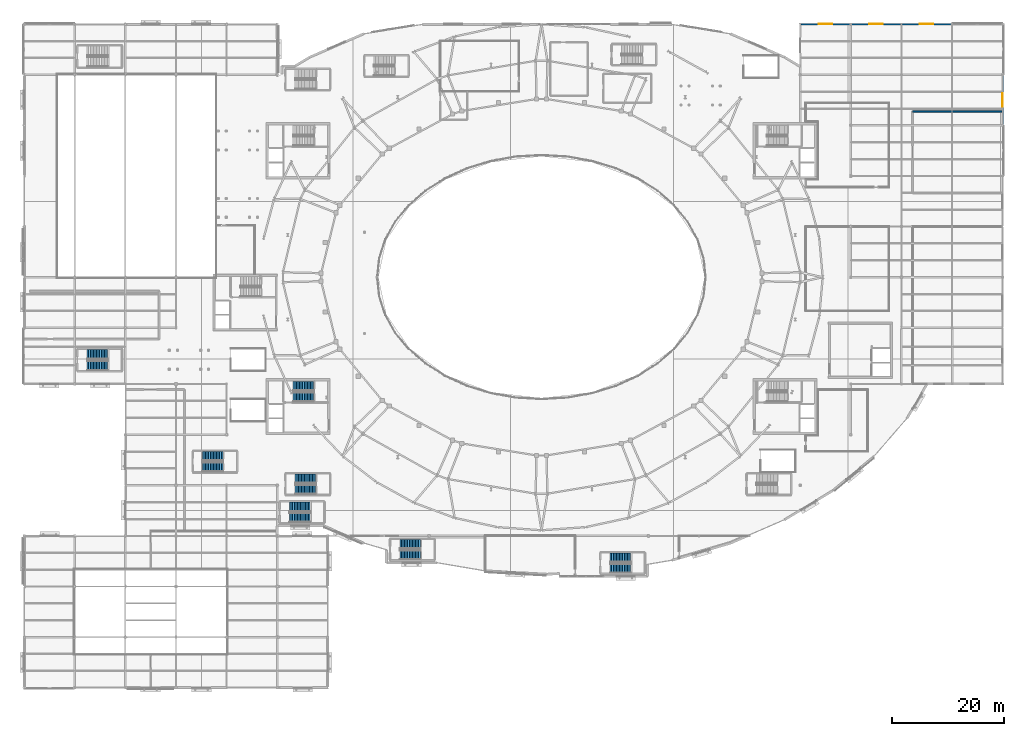
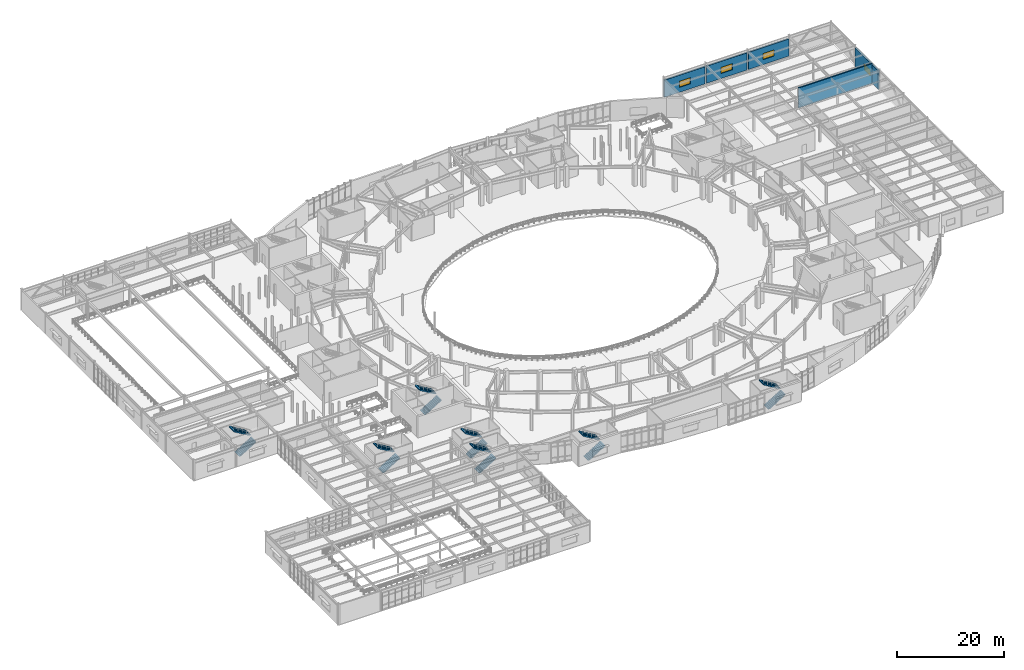
# One storey, part 67 of 86: 14 stair flights, 5 walls, 4 windows, 4 openings, 7 elements without a shape of their own.
"""IFC4 building model written with IfcOpenShell, lengths in metres."""

import ifcopenshell
import ifcopenshell.guid

model = None  # the IFC model being written
_history = None  # IfcOwnerHistory: only IFC2X3 demands one
_inside = {}  # id of a spatial element -> (the spatial element, [elements in it])
_under = {}  # id of a project, library or spatial element -> (it, [spatial elements below it])
_declared = {}  # id of a project -> (the project, [libraries it declares])
_typed = {}  # id of a type object -> (the type object, [elements of that type])
_made_of = {}  # id of a material, layer set ... -> (it, [elements and type objects made of it])


def new_model(schema):
    """Start an empty IFC model of exactly this schema.

    Asked for "IFC4X3", IfcOpenShell would pick the latest addendum, in which some entities
    have other attributes; the version numbers below select the first issue.
    IFC2X3 requires an IfcOwnerHistory on every rooted entity: one is made here for all.
    """
    global model, _history
    if schema == "IFC4X3":
        model = ifcopenshell.file(schema_version=(4, 3, 0, 0))
    else:
        model = ifcopenshell.file(schema=schema)
    _inside.clear()
    _under.clear()
    _declared.clear()
    _typed.clear()
    _made_of.clear()
    _history = None
    if model.schema == "IFC2X3":
        org = make("IfcOrganization", Name="unknown")
        user = make(
            "IfcPersonAndOrganization",
            ThePerson=make("IfcPerson", FamilyName="unknown"),
            TheOrganization=org,
        )
        app = make(
            "IfcApplication",
            ApplicationDeveloper=org,
            Version="unknown",
            ApplicationFullName="unknown",
            ApplicationIdentifier="unknown",
        )
        _history = make(
            "IfcOwnerHistory",
            OwningUser=user,
            OwningApplication=app,
            ChangeAction="ADDED",
            CreationDate=0,
        )
    return model


def make(cls, **values):
    """One entity of the class cls with the attributes given. An attribute that is None is left unset."""
    return model.create_entity(
        cls, **{name: value for name, value in values.items() if value is not None}
    )


def rooted(cls, **values):
    """An entity with a GlobalId (a new one), such as an element, a storey or a relation."""
    return make(cls, GlobalId=ifcopenshell.guid.new(), OwnerHistory=_history, **values)


def si_unit(unit_type, name, prefix=None):
    """IfcSIUnit, for example si_unit("LENGTHUNIT", "METRE", prefix="MILLI")."""
    return make("IfcSIUnit", UnitType=unit_type, Prefix=prefix, Name=name)


def assignment(units):
    """IfcUnitAssignment: the units of a project."""
    return None if units is None else make("IfcUnitAssignment", Units=units)


def point(xyz):
    """IfcCartesianPoint."""
    return None if xyz is None else make("IfcCartesianPoint", Coordinates=xyz)


def direction(xyz):
    """IfcDirection."""
    return None if xyz is None else make("IfcDirection", DirectionRatios=xyz)


def frame(location, z_axis=None, x_axis=None):
    """IfcAxis2Placement3D, a coordinate frame: its origin and axes. An axis left out is left unset."""
    return make(
        "IfcAxis2Placement3D",
        Location=point(location),
        Axis=direction(z_axis),
        RefDirection=direction(x_axis),
    )


def frame_2d(location, x_axis=None):
    """IfcAxis2Placement2D, a coordinate frame in the plane: its origin and x axis."""
    return make(
        "IfcAxis2Placement2D", Location=point(location), RefDirection=direction(x_axis)
    )


def origin():
    """The frame at (0, 0, 0) with its axes left unset."""
    return frame((0.0, 0.0, 0.0))


def place(relative_to, where):
    """IfcLocalPlacement: puts the frame where relative to a parent placement (None: the world)."""
    return make(
        "IfcLocalPlacement", PlacementRelTo=relative_to, RelativePlacement=where
    )


def context(
    kind, dimensions, precision=None, world=None, true_north=None, identifier=None
):
    """IfcGeometricRepresentationContext, for example the 3D "Model" context."""
    return make(
        "IfcGeometricRepresentationContext",
        ContextIdentifier=identifier,
        ContextType=kind,
        CoordinateSpaceDimension=dimensions,
        Precision=precision,
        WorldCoordinateSystem=world,
        TrueNorth=true_north,
    )


def subcontext(parent, identifier, kind, view, scale=None):
    """IfcGeometricRepresentationSubContext, for example "Body" below "Model"."""
    return make(
        "IfcGeometricRepresentationSubContext",
        ContextIdentifier=identifier,
        ContextType=kind,
        ParentContext=parent,
        TargetScale=scale,
        TargetView=view,
    )


def project(units=None, contexts=None):
    """IfcProject with its units and contexts."""
    return rooted(
        "IfcProject",
        Name="project",
        RepresentationContexts=contexts,
        UnitsInContext=assignment(units),
    )


def spatial(cls, under=None, at=None, **own):
    """A site, building, storey or space (cls), placed at a placement, below another one or the project."""
    s = rooted(cls, ObjectPlacement=at, **own)
    if under is not None:
        _under.setdefault(under.id(), (under, []))[1].append(s)
    return s


def polyline(points):
    """IfcPolyline through the points."""
    return make("IfcPolyline", Points=[point(p) for p in points])


def profile(cls, at=None, kind="AREA", **sizes):
    """A parametric profile (cls). Its sizes go by their IFC names, for example OverallWidth=200.0."""
    return make(cls, ProfileType=kind, Position=at, **sizes)


def rectangle(**sizes):
    """IfcRectangleProfileDef."""
    return profile("IfcRectangleProfileDef", **sizes)


def outline(outer, holes=None, kind="AREA"):
    """IfcArbitraryClosedProfileDef: a profile drawn as a closed curve; with holes, ...WithVoids."""
    if holes is None:
        return make("IfcArbitraryClosedProfileDef", ProfileType=kind, OuterCurve=outer)
    return make(
        "IfcArbitraryProfileDefWithVoids",
        ProfileType=kind,
        OuterCurve=outer,
        InnerCurves=holes,
    )


def extrude(swept, where, along, depth):
    """IfcExtrudedAreaSolid: the profile swept, set in the frame where, extruded along a direction by depth."""
    return make(
        "IfcExtrudedAreaSolid",
        SweptArea=swept,
        Position=where,
        ExtrudedDirection=direction(along),
        Depth=depth,
    )


def shape(context_of_items, identifier, shape_type, items):
    """IfcShapeRepresentation: the items that make up one representation, for example the "Body"."""
    return make(
        "IfcShapeRepresentation",
        ContextOfItems=context_of_items,
        RepresentationIdentifier=identifier,
        RepresentationType=shape_type,
        Items=items,
    )


def material(Name=None, Category=None):
    """IfcMaterial."""
    return make("IfcMaterial", Name=Name, Category=Category)


def layer(
    of_material, thickness, ventilated=None, Name=None, Category=None, Priority=None
):
    """IfcMaterialLayer: one layer of a wall or slab, of a material (None: an air gap)."""
    return make(
        "IfcMaterialLayer",
        Material=of_material,
        LayerThickness=thickness,
        IsVentilated=ventilated,
        Name=Name,
        Category=Category,
        Priority=Priority,
    )


def layer_set(layers, Name=None):
    """IfcMaterialLayerSet."""
    return make("IfcMaterialLayerSet", MaterialLayers=layers, LayerSetName=Name)


def made_of(thing, what):
    """Note that an element or type object is made of a material, layer set ...; save() writes the relation."""
    if what is not None:
        _made_of.setdefault(what.id(), (what, []))[1].append(thing)
    return thing


def type_object(cls, material=None, **own):
    """A type object (cls), such as IfcWallType, which elements share."""
    return made_of(rooted(cls, **own), material)


def element(
    cls,
    number,
    at=None,
    inside=None,
    cuts=None,
    type_object=None,
    material=None,
    context=None,
    identifier="Body",
    shape_type=None,
    held_by="IfcProductDefinitionShape",
    body=None,
    shapes=None,
    **own,
):
    """One element of the class cls, such as IfcWall. Its Tag is "e" and its number.

    at: its placement. inside: the storey or other place that contains it. cuts: it is an
    opening in that element (IfcRelVoidsElement). A single representation is given by context,
    identifier, shape_type and body (its items); several are given by shapes. held_by: the class
    of the entity that holds the representations. save() writes the other relations.
    """
    e = rooted(cls, Tag="e%d" % number, ObjectPlacement=at, **own)
    if body is not None:
        shapes = [shape(context, identifier, shape_type, body)]
    if shapes is not None:
        e.Representation = make(held_by, Representations=shapes)
    if inside is not None:
        _inside.setdefault(inside.id(), (inside, []))[1].append(e)
    if cuts is not None:
        rooted(
            "IfcRelVoidsElement", RelatingBuildingElement=cuts, RelatedOpeningElement=e
        )
    if type_object is not None:
        _typed.setdefault(type_object.id(), (type_object, []))[1].append(e)
    return made_of(e, material)


def fill(opening, filler):
    """IfcRelFillsElement: the door or window that sits in an opening."""
    return rooted(
        "IfcRelFillsElement",
        RelatingOpeningElement=opening,
        RelatedBuildingElement=filler,
    )


def aggregate(whole, parts):
    """IfcRelAggregates: a whole, such as a stair, and the parts it consists of."""
    return rooted("IfcRelAggregates", RelatingObject=whole, RelatedObjects=parts)


def save(model, path):
    """Write the relations noted so far, then the file.

    IfcRelAggregates (storeys below a building ...), IfcRelContainedInSpatialStructure (elements
    in a storey), IfcRelDefinesByType, IfcRelAssociatesMaterial and IfcRelDeclares: one each for
    every whole, place, type object, material and project.
    """
    for whole, parts in _under.values():
        aggregate(whole, parts)
    for where, things in _inside.values():
        rooted(
            "IfcRelContainedInSpatialStructure",
            RelatedElements=things,
            RelatingStructure=where,
        )
    for kind, things in _typed.values():
        rooted("IfcRelDefinesByType", RelatedObjects=things, RelatingType=kind)
    for what, things in _made_of.values():
        rooted("IfcRelAssociatesMaterial", RelatedObjects=things, RelatingMaterial=what)
    for by, libraries in _declared.values():
        rooted("IfcRelDeclares", RelatingContext=by, RelatedDefinitions=libraries)
    model.write(path)


model = new_model("IFC4")

# Units and contexts
model_context = context("Model", 3, precision=1e-05, world=origin(), true_north=direction((0.0, 1.0)))
body_context = subcontext(model_context, "Body", "Model", "MODEL_VIEW")
ifc_project = project(units=[si_unit("LENGTHUNIT", "METRE"), si_unit("AREAUNIT", "SQUARE_METRE"), si_unit("VOLUMEUNIT", "CUBIC_METRE"), si_unit("PLANEANGLEUNIT", "RADIAN"), si_unit("MASSUNIT", "GRAM", prefix="KILO")], contexts=[model_context])

# Site, building, storey
site_placement = place(None, origin())
site = spatial("IfcSite", under=ifc_project, at=site_placement, CompositionType="ELEMENT")
building_placement = place(site_placement, origin())
building = spatial("IfcBuilding", under=site, at=building_placement, Name="Glasvene Arena", CompositionType="ELEMENT")
storey_placement = place(building_placement, frame((0.0, 0.0, 5.39990234375)))
storey = spatial("IfcBuildingStorey", under=building, at=storey_placement, Name="L01", CompositionType="ELEMENT", Elevation=5.39990234375)

# Wall, opening, window
ifc_material_1 = material(Name="Precast concrete C50/60", Category="concrete")
ifc_layer_1 = layer(ifc_material_1, 0.320068359375)
ifc_layer_set_1 = layer_set([ifc_layer_1], Name="Precast concrete C50/60")
wall_type_1 = type_object("IfcWallType", Name="WL-EXT-PRC-320", PredefinedType="STANDARD", material=ifc_layer_set_1)
wall_1_placement = place(storey_placement, frame((138.130126953125, 118.0, 0.0), z_axis=(0.0, 0.0, 1.0), x_axis=(1.0, 0.0, 0.0)))
wall_1 = element("IfcWall", 1, at=wall_1_placement, inside=storey, type_object=wall_type_1, Name="External facade wall EW-L01-0080", PredefinedType="STANDARD", context=body_context, shape_type="SweptSolid", body=[
    extrude(rectangle(XDim=8.7177734375, YDim=0.320068359375, at=frame_2d((4.35888671875, 0.0))), origin(), (0.0, 0.0, 1.0), 3.907470703125),
])
opening_1_placement = place(wall_1_placement, frame((3.158935546875, 0.0, 1.14990234375)))
opening_1 = element("IfcOpeningElement", 2, at=opening_1_placement, cuts=wall_1, Name="Opening W-18", PredefinedType="OPENING", context=body_context, shape_type="SweptSolid", body=[
    extrude(rectangle(XDim=2.39990234375, YDim=1.39990234375, at=frame_2d((1.199951171875, 0.699951171875))), frame((0.0, 0.169921875, 0.0), z_axis=(0.0, -1.0, 0.0), x_axis=(1.0, 0.0, 0.0)), (0.0, 0.0, 1.0), 0.340087890625),
])
ifc_material_2 = material(Name="Low-emissivity laminated double glazing", Category="glass")
window_type = type_object("IfcWindowType", Name="WN-LOUV-240x140", PartitioningType="DOUBLE_PANEL_HORIZONTAL", PredefinedType="WINDOW", material=ifc_material_2)
window_1_placement = place(opening_1_placement, origin())
window_1 = element("IfcWindow", 3, at=window_1_placement, inside=storey, type_object=window_type, Name="Facade window WN-LOUV-240x140 L01-0031", OverallHeight=1.39990234375, OverallWidth=2.39990234375, PartitioningType="SINGLE_PANEL", PredefinedType="WINDOW", context=body_context, shape_type="SweptSolid", body=[
    extrude(rectangle(XDim=2.39990234375, YDim=1.39990234375, at=frame_2d((1.199951171875, 0.699951171875))), frame((0.0, 0.030029296875, 0.0), z_axis=(0.0, -1.0, 0.0), x_axis=(1.0, 0.0, 0.0)), (0.0, 0.0, 1.0), 0.06005859375),
])
fill(opening_1, window_1)

wall_2_placement = place(storey_placement, frame((147.152099609375, 118.0, 0.0), z_axis=(0.0, 0.0, 1.0), x_axis=(1.0, 0.0, 0.0)))
wall_2 = element("IfcWall", 4, at=wall_2_placement, inside=storey, type_object=wall_type_1, Name="External facade wall EW-L01-0081", PredefinedType="STANDARD", context=body_context, shape_type="SweptSolid", body=[
    extrude(rectangle(XDim=8.7177734375, YDim=0.320068359375, at=frame_2d((4.35888671875, 0.0))), origin(), (0.0, 0.0, 1.0), 3.907470703125),
])
opening_2_placement = place(wall_2_placement, frame((3.158935546875, 0.0, 1.14990234375)))
opening_2 = element("IfcOpeningElement", 5, at=opening_2_placement, cuts=wall_2, Name="Opening W-18", PredefinedType="OPENING", context=body_context, shape_type="SweptSolid", body=[
    extrude(rectangle(XDim=2.39990234375, YDim=1.39990234375, at=frame_2d((1.199951171875, 0.699951171875))), frame((0.0, 0.169921875, 0.0), z_axis=(0.0, -1.0, 0.0), x_axis=(1.0, 0.0, 0.0)), (0.0, 0.0, 1.0), 0.340087890625),
])
window_2_placement = place(opening_2_placement, origin())
window_2 = element("IfcWindow", 6, at=window_2_placement, inside=storey, type_object=window_type, Name="Facade window WN-LOUV-240x140 L01-0032", OverallHeight=1.39990234375, OverallWidth=2.39990234375, PartitioningType="SINGLE_PANEL", PredefinedType="WINDOW", context=body_context, shape_type="SweptSolid", body=[
    extrude(rectangle(XDim=2.39990234375, YDim=1.39990234375, at=frame_2d((1.199951171875, 0.699951171875))), frame((0.0, 0.030029296875, 0.0), z_axis=(0.0, -1.0, 0.0), x_axis=(1.0, 0.0, 0.0)), (0.0, 0.0, 1.0), 0.06005859375),
])
fill(opening_2, window_2)

wall_3_placement = place(storey_placement, frame((156.130126953125, 118.0, 0.0), z_axis=(0.0, 0.0, 1.0), x_axis=(1.0, 0.0, 0.0)))
wall_3 = element("IfcWall", 7, at=wall_3_placement, inside=storey, type_object=wall_type_1, Name="External facade wall EW-L01-0082", PredefinedType="STANDARD", context=body_context, shape_type="SweptSolid", body=[
    extrude(rectangle(XDim=8.7177734375, YDim=0.320068359375, at=frame_2d((4.35888671875, 0.0))), origin(), (0.0, 0.0, 1.0), 3.907470703125),
])
opening_3_placement = place(wall_3_placement, frame((3.158935546875, 0.0, 1.14990234375)))
opening_3 = element("IfcOpeningElement", 8, at=opening_3_placement, cuts=wall_3, Name="Opening W-18", PredefinedType="OPENING", context=body_context, shape_type="SweptSolid", body=[
    extrude(rectangle(XDim=2.39990234375, YDim=1.39990234375, at=frame_2d((1.199951171875, 0.699951171875))), frame((0.0, 0.169921875, 0.0), z_axis=(0.0, -1.0, 0.0), x_axis=(1.0, 0.0, 0.0)), (0.0, 0.0, 1.0), 0.340087890625),
])
window_3_placement = place(opening_3_placement, origin())
window_3 = element("IfcWindow", 9, at=window_3_placement, inside=storey, type_object=window_type, Name="Facade window WN-LOUV-240x140 L01-0033", OverallHeight=1.39990234375, OverallWidth=2.39990234375, PartitioningType="SINGLE_PANEL", PredefinedType="WINDOW", context=body_context, shape_type="SweptSolid", body=[
    extrude(rectangle(XDim=2.39990234375, YDim=1.39990234375, at=frame_2d((1.199951171875, 0.699951171875))), frame((0.0, 0.030029296875, 0.0), z_axis=(0.0, -1.0, 0.0), x_axis=(1.0, 0.0, 0.0)), (0.0, 0.0, 1.0), 0.06005859375),
])
fill(opening_3, window_3)

wall_4_placement = place(storey_placement, frame((174.0, 108.847900390625, 0.0), z_axis=(0.0, 0.0, 1.0), x_axis=(0.0, -1.0, 0.0)))
wall_4 = element("IfcWall", 10, at=wall_4_placement, inside=storey, type_object=wall_type_1, Name="External facade wall EW-L01-0083", PredefinedType="STANDARD", context=body_context, shape_type="SweptSolid", body=[
    extrude(rectangle(XDim=8.7158203125, YDim=0.320068359375, at=frame_2d((4.35791015625, 0.0))), origin(), (0.0, 0.0, 1.0), 4.215087890625),
])
opening_4_placement = place(wall_4_placement, frame((3.157958984375, 0.0, 1.14990234375)))
opening_4 = element("IfcOpeningElement", 11, at=opening_4_placement, cuts=wall_4, Name="Opening W-18", PredefinedType="OPENING", context=body_context, shape_type="SweptSolid", body=[
    extrude(rectangle(XDim=2.39990234375, YDim=1.39990234375, at=frame_2d((1.199951171875, 0.699951171875))), frame((0.0, 0.169921875, 0.0), z_axis=(0.0, -1.0, 0.0), x_axis=(1.0, 0.0, 0.0)), (0.0, 0.0, 1.0), 0.340087890625),
])
window_4_placement = place(opening_4_placement, origin())
window_4 = element("IfcWindow", 12, at=window_4_placement, inside=storey, type_object=window_type, Name="Facade window WN-LOUV-240x140 L01-0034", OverallHeight=1.39990234375, OverallWidth=2.39990234375, PartitioningType="SINGLE_PANEL", PredefinedType="WINDOW", context=body_context, shape_type="SweptSolid", body=[
    extrude(rectangle(XDim=2.39990234375, YDim=1.39990234375, at=frame_2d((1.199951171875, 0.699951171875))), frame((0.0, 0.030029296875, 0.0), z_axis=(0.0, -1.0, 0.0), x_axis=(1.0, 0.0, 0.0)), (0.0, 0.0, 1.0), 0.06005859375),
])
fill(opening_4, window_4)

# Wall
ifc_material_3 = material(Name="Twin-frame acoustic gypsum partition")
ifc_layer_2 = layer(ifc_material_3, 0.280029296875)
ifc_layer_set_2 = layer_set([ifc_layer_2], Name="Twin-frame acoustic gypsum partition")
wall_type_2 = type_object("IfcWallType", Name="WL-STUDIO-280", PredefinedType="PARTITIONING", material=ifc_layer_set_2)
wall_5_placement = place(storey_placement, frame((173.9599609375, 102.5, 0.0), z_axis=(0.0, 0.0, 1.0), x_axis=(-1.0, 0.0, 0.0)))
element("IfcWall", 13, at=wall_5_placement, inside=storey, type_object=wall_type_2, Name="Interior partition wall IW-L01-0199 (Broadcast Cabling Patch Room)", PredefinedType="PARTITIONING", context=body_context, shape_type="SweptSolid", body=[
    extrude(rectangle(XDim=15.9599609375, YDim=0.280029296875, at=frame_2d((7.97998046875, 0.0))), origin(), (0.0, 0.0, 1.0), 4.52001953125),
])

# Stair, stair flights
ifc_material_4 = material(Name="Concrete C40/50", Category="concrete")
stair_type_1 = type_object("IfcStairType", Name="ST-HT-480-165", PredefinedType="HALF_TURN_STAIR", material=ifc_material_4)
stair_1_placement = place(storey_placement, origin())
stair_1 = element("IfcStair", 14, at=stair_1_placement, inside=storey, type_object=stair_type_1, Name="Protected escape stair ST-08 (L01 to L02)", PredefinedType="HALF_TURN_STAIR")
stair_flight_type_1 = type_object("IfcStairFlightType", Name="SF-HT-480-165", PredefinedType="STRAIGHT", material=ifc_material_4)
stair_flight_1_placement = place(storey_placement, frame((66.800048828125, 23.625, 0.0), z_axis=(0.0, 0.0, 1.0), x_axis=(1.0, 0.0, 0.0)))
stair_flight_1 = element("IfcStairFlight", 15, at=stair_flight_1_placement, type_object=stair_flight_type_1, Name="Protected escape stair ST-08 (L01 to L02) flight 1", NumberOfRisers=14, NumberOfTreads=13, PredefinedType="STRAIGHT", RiserHeight=0.171429, TreadLength=0.28, context=body_context, shape_type="SweptSolid", body=[
    extrude(outline(polyline([(0.0, 0.0), (0.0, 0.17138671875), (0.280029296875, 0.17138671875), (0.280029296875, 0.3427734375), (0.56005859375, 0.3427734375), (0.56005859375, 0.514404296875), (0.840087890625, 0.514404296875), (0.840087890625, 0.685791015625), (1.1201171875, 0.685791015625), (1.1201171875, 0.857177734375), (1.39990234375, 0.857177734375), (1.39990234375, 1.028564453125), (1.679931640625, 1.028564453125), (1.679931640625, 1.199951171875), (1.9599609375, 1.199951171875), (1.9599609375, 1.371337890625), (2.239990234375, 1.371337890625), (2.239990234375, 1.54296875), (2.52001953125, 1.54296875), (2.52001953125, 1.71435546875), (2.800048828125, 1.71435546875), (2.800048828125, 1.8857421875), (3.080078125, 1.8857421875), (3.080078125, 2.05712890625), (3.360107421875, 2.05712890625), (3.360107421875, 2.228515625), (3.639892578125, 2.228515625), (3.639892578125, 2.39990234375), (3.639892578125, 1.994140625), (0.383056640625, 0.0), (0.0, 0.0)])), frame((0.0, 0.824951171875, 0.0), z_axis=(0.0, -1.0, 0.0), x_axis=(1.0, 0.0, 0.0)), (0.0, 0.0, 1.0), 1.64990234375),
])
stair_flight_2_placement = place(storey_placement, frame((70.43994140625, 25.52490234375, 2.400146484375), z_axis=(0.0, 0.0, 1.0), x_axis=(-1.0, 0.0, 0.0)))
stair_flight_2 = element("IfcStairFlight", 16, at=stair_flight_2_placement, type_object=stair_flight_type_1, Name="Protected escape stair ST-08 (L01 to L02) flight 2", NumberOfRisers=14, NumberOfTreads=13, PredefinedType="STRAIGHT", RiserHeight=0.171429, TreadLength=0.28, context=body_context, shape_type="SweptSolid", body=[
    extrude(outline(polyline([(0.0, 0.0), (0.0, 0.17138671875), (0.280029296875, 0.17138671875), (0.280029296875, 0.3427734375), (0.56005859375, 0.3427734375), (0.56005859375, 0.514404296875), (0.840087890625, 0.514404296875), (0.840087890625, 0.685791015625), (1.1201171875, 0.685791015625), (1.1201171875, 0.857177734375), (1.39990234375, 0.857177734375), (1.39990234375, 1.028564453125), (1.679931640625, 1.028564453125), (1.679931640625, 1.199951171875), (1.9599609375, 1.199951171875), (1.9599609375, 1.371337890625), (2.239990234375, 1.371337890625), (2.239990234375, 1.54296875), (2.52001953125, 1.54296875), (2.52001953125, 1.71435546875), (2.800048828125, 1.71435546875), (2.800048828125, 1.8857421875), (3.080078125, 1.8857421875), (3.080078125, 2.05712890625), (3.360107421875, 2.05712890625), (3.360107421875, 2.228515625), (3.639892578125, 2.228515625), (3.639892578125, 2.39990234375), (3.639892578125, 1.994140625), (0.383056640625, 0.0), (0.0, 0.0)])), frame((0.0, 0.824951171875, 0.0), z_axis=(0.0, -1.0, 0.0), x_axis=(1.0, 0.0, 0.0)), (0.0, 0.0, 1.0), 1.64990234375),
])
aggregate(stair_1, [stair_flight_1, stair_flight_2])

stair_2_placement = place(storey_placement, origin())
stair_2 = element("IfcStair", 17, at=stair_2_placement, inside=storey, type_object=stair_type_1, Name="Protected escape stair ST-09 (L01 to L02)", PredefinedType="HALF_TURN_STAIR")
stair_flight_3_placement = place(storey_placement, frame((104.199951171875, 21.22509765625, 0.0), z_axis=(0.0, 0.0, 1.0), x_axis=(1.0, 0.0, 0.0)))
stair_flight_3 = element("IfcStairFlight", 18, at=stair_flight_3_placement, type_object=stair_flight_type_1, Name="Protected escape stair ST-09 (L01 to L02) flight 1", NumberOfRisers=14, NumberOfTreads=13, PredefinedType="STRAIGHT", RiserHeight=0.171429, TreadLength=0.28, context=body_context, shape_type="SweptSolid", body=[
    extrude(outline(polyline([(0.0, 0.0), (0.0, 0.17138671875), (0.280029296875, 0.17138671875), (0.280029296875, 0.3427734375), (0.56005859375, 0.3427734375), (0.56005859375, 0.514404296875), (0.840087890625, 0.514404296875), (0.840087890625, 0.685791015625), (1.1201171875, 0.685791015625), (1.1201171875, 0.857177734375), (1.39990234375, 0.857177734375), (1.39990234375, 1.028564453125), (1.679931640625, 1.028564453125), (1.679931640625, 1.199951171875), (1.9599609375, 1.199951171875), (1.9599609375, 1.371337890625), (2.239990234375, 1.371337890625), (2.239990234375, 1.54296875), (2.52001953125, 1.54296875), (2.52001953125, 1.71435546875), (2.800048828125, 1.71435546875), (2.800048828125, 1.8857421875), (3.080078125, 1.8857421875), (3.080078125, 2.05712890625), (3.360107421875, 2.05712890625), (3.360107421875, 2.228515625), (3.639892578125, 2.228515625), (3.639892578125, 2.39990234375), (3.639892578125, 1.994140625), (0.383056640625, 0.0), (0.0, 0.0)])), frame((0.0, 0.824951171875, 0.0), z_axis=(0.0, -1.0, 0.0), x_axis=(1.0, 0.0, 0.0)), (0.0, 0.0, 1.0), 1.64990234375),
])
stair_flight_4_placement = place(storey_placement, frame((107.840087890625, 23.125, 2.400146484375), z_axis=(0.0, 0.0, 1.0), x_axis=(-1.0, 0.0, 0.0)))
stair_flight_4 = element("IfcStairFlight", 19, at=stair_flight_4_placement, type_object=stair_flight_type_1, Name="Protected escape stair ST-09 (L01 to L02) flight 2", NumberOfRisers=14, NumberOfTreads=13, PredefinedType="STRAIGHT", RiserHeight=0.171429, TreadLength=0.28, context=body_context, shape_type="SweptSolid", body=[
    extrude(outline(polyline([(0.0, 0.0), (0.0, 0.17138671875), (0.280029296875, 0.17138671875), (0.280029296875, 0.3427734375), (0.56005859375, 0.3427734375), (0.56005859375, 0.514404296875), (0.840087890625, 0.514404296875), (0.840087890625, 0.685791015625), (1.1201171875, 0.685791015625), (1.1201171875, 0.857177734375), (1.39990234375, 0.857177734375), (1.39990234375, 1.028564453125), (1.679931640625, 1.028564453125), (1.679931640625, 1.199951171875), (1.9599609375, 1.199951171875), (1.9599609375, 1.371337890625), (2.239990234375, 1.371337890625), (2.239990234375, 1.54296875), (2.52001953125, 1.54296875), (2.52001953125, 1.71435546875), (2.800048828125, 1.71435546875), (2.800048828125, 1.8857421875), (3.080078125, 1.8857421875), (3.080078125, 2.05712890625), (3.360107421875, 2.05712890625), (3.360107421875, 2.228515625), (3.639892578125, 2.228515625), (3.639892578125, 2.39990234375), (3.639892578125, 1.994140625), (0.383056640625, 0.0), (0.0, 0.0)])), frame((0.0, 0.824951171875, 0.0), z_axis=(0.0, -1.0, 0.0), x_axis=(1.0, 0.0, 0.0)), (0.0, 0.0, 1.0), 1.64990234375),
])
aggregate(stair_2, [stair_flight_3, stair_flight_4])

stair_type_2 = type_object("IfcStairType", Name="ST-HT-480-170", PredefinedType="HALF_TURN_STAIR", material=ifc_material_4)
stair_3_placement = place(storey_placement, origin())
stair_3 = element("IfcStair", 20, at=stair_3_placement, inside=storey, type_object=stair_type_2, Name="Protected escape stair ST-03 (L01 to L02)", PredefinedType="HALF_TURN_STAIR")
stair_flight_type_2 = type_object("IfcStairFlightType", Name="SF-HT-480-170", PredefinedType="STRAIGHT", material=ifc_material_4)
stair_flight_5_placement = place(storey_placement, frame((47.85009765625, 51.699951171875, 0.0), z_axis=(0.0, 0.0, 1.0), x_axis=(1.0, 0.0, 0.0)))
stair_flight_5 = element("IfcStairFlight", 21, at=stair_flight_5_placement, type_object=stair_flight_type_2, Name="Protected escape stair ST-03 (L01 to L02) flight 1", NumberOfRisers=14, NumberOfTreads=13, PredefinedType="STRAIGHT", RiserHeight=0.171429, TreadLength=0.28, context=body_context, shape_type="SweptSolid", body=[
    extrude(outline(polyline([(0.0, 0.0), (0.0, 0.17138671875), (0.280029296875, 0.17138671875), (0.280029296875, 0.3427734375), (0.56005859375, 0.3427734375), (0.56005859375, 0.514404296875), (0.840087890625, 0.514404296875), (0.840087890625, 0.685791015625), (1.1201171875, 0.685791015625), (1.1201171875, 0.857177734375), (1.39990234375, 0.857177734375), (1.39990234375, 1.028564453125), (1.679931640625, 1.028564453125), (1.679931640625, 1.199951171875), (1.9599609375, 1.199951171875), (1.9599609375, 1.371337890625), (2.239990234375, 1.371337890625), (2.239990234375, 1.54296875), (2.52001953125, 1.54296875), (2.52001953125, 1.71435546875), (2.800048828125, 1.71435546875), (2.800048828125, 1.8857421875), (3.080078125, 1.8857421875), (3.080078125, 2.05712890625), (3.360107421875, 2.05712890625), (3.360107421875, 2.228515625), (3.639892578125, 2.228515625), (3.639892578125, 2.39990234375), (3.639892578125, 1.994140625), (0.383056640625, 0.0), (0.0, 0.0)])), frame((0.0, 0.85009765625, 0.0), z_axis=(0.0, -1.0, 0.0), x_axis=(1.0, 0.0, 0.0)), (0.0, 0.0, 1.0), 1.699951171875),
])
stair_flight_6_placement = place(storey_placement, frame((51.489990234375, 53.64990234375, 2.400146484375), z_axis=(0.0, 0.0, 1.0), x_axis=(-1.0, 0.0, 0.0)))
stair_flight_6 = element("IfcStairFlight", 22, at=stair_flight_6_placement, type_object=stair_flight_type_2, Name="Protected escape stair ST-03 (L01 to L02) flight 2", NumberOfRisers=14, NumberOfTreads=13, PredefinedType="STRAIGHT", RiserHeight=0.171429, TreadLength=0.28, context=body_context, shape_type="SweptSolid", body=[
    extrude(outline(polyline([(0.0, 0.0), (0.0, 0.17138671875), (0.280029296875, 0.17138671875), (0.280029296875, 0.3427734375), (0.56005859375, 0.3427734375), (0.56005859375, 0.514404296875), (0.840087890625, 0.514404296875), (0.840087890625, 0.685791015625), (1.1201171875, 0.685791015625), (1.1201171875, 0.857177734375), (1.39990234375, 0.857177734375), (1.39990234375, 1.028564453125), (1.679931640625, 1.028564453125), (1.679931640625, 1.199951171875), (1.9599609375, 1.199951171875), (1.9599609375, 1.371337890625), (2.239990234375, 1.371337890625), (2.239990234375, 1.54296875), (2.52001953125, 1.54296875), (2.52001953125, 1.71435546875), (2.800048828125, 1.71435546875), (2.800048828125, 1.8857421875), (3.080078125, 1.8857421875), (3.080078125, 2.05712890625), (3.360107421875, 2.05712890625), (3.360107421875, 2.228515625), (3.639892578125, 2.228515625), (3.639892578125, 2.39990234375), (3.639892578125, 1.994140625), (0.383056640625, 0.0), (0.0, 0.0)])), frame((0.0, 0.85009765625, 0.0), z_axis=(0.0, -1.0, 0.0), x_axis=(1.0, 0.0, 0.0)), (0.0, 0.0, 1.0), 1.699951171875),
])
aggregate(stair_3, [stair_flight_5, stair_flight_6])

stair_4_placement = place(storey_placement, origin())
stair_4 = element("IfcStair", 23, at=stair_4_placement, inside=storey, type_object=stair_type_2, Name="Protected escape stair ST-05 (L01 to L02)", PredefinedType="HALF_TURN_STAIR")
stair_flight_7_placement = place(storey_placement, frame((48.199951171875, 35.25, 0.0), z_axis=(0.0, 0.0, 1.0), x_axis=(1.0, 0.0, 0.0)))
stair_flight_7 = element("IfcStairFlight", 24, at=stair_flight_7_placement, type_object=stair_flight_type_2, Name="Protected escape stair ST-05 (L01 to L02) flight 1", NumberOfRisers=14, NumberOfTreads=13, PredefinedType="STRAIGHT", RiserHeight=0.171429, TreadLength=0.28, context=body_context, shape_type="SweptSolid", body=[
    extrude(outline(polyline([(0.0, 0.0), (0.0, 0.17138671875), (0.280029296875, 0.17138671875), (0.280029296875, 0.3427734375), (0.56005859375, 0.3427734375), (0.56005859375, 0.514404296875), (0.840087890625, 0.514404296875), (0.840087890625, 0.685791015625), (1.1201171875, 0.685791015625), (1.1201171875, 0.857177734375), (1.39990234375, 0.857177734375), (1.39990234375, 1.028564453125), (1.679931640625, 1.028564453125), (1.679931640625, 1.199951171875), (1.9599609375, 1.199951171875), (1.9599609375, 1.371337890625), (2.239990234375, 1.371337890625), (2.239990234375, 1.54296875), (2.52001953125, 1.54296875), (2.52001953125, 1.71435546875), (2.800048828125, 1.71435546875), (2.800048828125, 1.8857421875), (3.080078125, 1.8857421875), (3.080078125, 2.05712890625), (3.360107421875, 2.05712890625), (3.360107421875, 2.228515625), (3.639892578125, 2.228515625), (3.639892578125, 2.39990234375), (3.639892578125, 1.994140625), (0.383056640625, 0.0), (0.0, 0.0)])), frame((0.0, 0.85009765625, 0.0), z_axis=(0.0, -1.0, 0.0), x_axis=(1.0, 0.0, 0.0)), (0.0, 0.0, 1.0), 1.699951171875),
])
stair_flight_8_placement = place(storey_placement, frame((51.840087890625, 37.199951171875, 2.400146484375), z_axis=(0.0, 0.0, 1.0), x_axis=(-1.0, 0.0, 0.0)))
stair_flight_8 = element("IfcStairFlight", 25, at=stair_flight_8_placement, type_object=stair_flight_type_2, Name="Protected escape stair ST-05 (L01 to L02) flight 2", NumberOfRisers=14, NumberOfTreads=13, PredefinedType="STRAIGHT", RiserHeight=0.171429, TreadLength=0.28, context=body_context, shape_type="SweptSolid", body=[
    extrude(outline(polyline([(0.0, 0.0), (0.0, 0.17138671875), (0.280029296875, 0.17138671875), (0.280029296875, 0.3427734375), (0.56005859375, 0.3427734375), (0.56005859375, 0.514404296875), (0.840087890625, 0.514404296875), (0.840087890625, 0.685791015625), (1.1201171875, 0.685791015625), (1.1201171875, 0.857177734375), (1.39990234375, 0.857177734375), (1.39990234375, 1.028564453125), (1.679931640625, 1.028564453125), (1.679931640625, 1.199951171875), (1.9599609375, 1.199951171875), (1.9599609375, 1.371337890625), (2.239990234375, 1.371337890625), (2.239990234375, 1.54296875), (2.52001953125, 1.54296875), (2.52001953125, 1.71435546875), (2.800048828125, 1.71435546875), (2.800048828125, 1.8857421875), (3.080078125, 1.8857421875), (3.080078125, 2.05712890625), (3.360107421875, 2.05712890625), (3.360107421875, 2.228515625), (3.639892578125, 2.228515625), (3.639892578125, 2.39990234375), (3.639892578125, 1.994140625), (0.383056640625, 0.0), (0.0, 0.0)])), frame((0.0, 0.85009765625, 0.0), z_axis=(0.0, -1.0, 0.0), x_axis=(1.0, 0.0, 0.0)), (0.0, 0.0, 1.0), 1.699951171875),
])
aggregate(stair_4, [stair_flight_7, stair_flight_8])

stair_5_placement = place(storey_placement, origin())
stair_5 = element("IfcStair", 26, at=stair_5_placement, inside=storey, type_object=stair_type_2, Name="Protected escape stair ST-15 (L01 to L02)", PredefinedType="HALF_TURN_STAIR")
stair_flight_9_placement = place(storey_placement, frame((31.699951171875, 39.25, 0.0), z_axis=(0.0, 0.0, 1.0), x_axis=(1.0, 0.0, 0.0)))
stair_flight_9 = element("IfcStairFlight", 27, at=stair_flight_9_placement, type_object=stair_flight_type_2, Name="Protected escape stair ST-15 (L01 to L02) flight 1", NumberOfRisers=14, NumberOfTreads=13, PredefinedType="STRAIGHT", RiserHeight=0.171429, TreadLength=0.28, context=body_context, shape_type="SweptSolid", body=[
    extrude(outline(polyline([(0.0, 0.0), (0.0, 0.17138671875), (0.280029296875, 0.17138671875), (0.280029296875, 0.3427734375), (0.56005859375, 0.3427734375), (0.56005859375, 0.514404296875), (0.840087890625, 0.514404296875), (0.840087890625, 0.685791015625), (1.1201171875, 0.685791015625), (1.1201171875, 0.857177734375), (1.39990234375, 0.857177734375), (1.39990234375, 1.028564453125), (1.679931640625, 1.028564453125), (1.679931640625, 1.199951171875), (1.9599609375, 1.199951171875), (1.9599609375, 1.371337890625), (2.239990234375, 1.371337890625), (2.239990234375, 1.54296875), (2.52001953125, 1.54296875), (2.52001953125, 1.71435546875), (2.800048828125, 1.71435546875), (2.800048828125, 1.8857421875), (3.080078125, 1.8857421875), (3.080078125, 2.05712890625), (3.360107421875, 2.05712890625), (3.360107421875, 2.228515625), (3.639892578125, 2.228515625), (3.639892578125, 2.39990234375), (3.639892578125, 1.994140625), (0.383056640625, 0.0), (0.0, 0.0)])), frame((0.0, 0.85009765625, 0.0), z_axis=(0.0, -1.0, 0.0), x_axis=(1.0, 0.0, 0.0)), (0.0, 0.0, 1.0), 1.699951171875),
])
stair_flight_10_placement = place(storey_placement, frame((35.340087890625, 41.199951171875, 2.400146484375), z_axis=(0.0, 0.0, 1.0), x_axis=(-1.0, 0.0, 0.0)))
stair_flight_10 = element("IfcStairFlight", 28, at=stair_flight_10_placement, type_object=stair_flight_type_2, Name="Protected escape stair ST-15 (L01 to L02) flight 2", NumberOfRisers=14, NumberOfTreads=13, PredefinedType="STRAIGHT", RiserHeight=0.171429, TreadLength=0.28, context=body_context, shape_type="SweptSolid", body=[
    extrude(outline(polyline([(0.0, 0.0), (0.0, 0.17138671875), (0.280029296875, 0.17138671875), (0.280029296875, 0.3427734375), (0.56005859375, 0.3427734375), (0.56005859375, 0.514404296875), (0.840087890625, 0.514404296875), (0.840087890625, 0.685791015625), (1.1201171875, 0.685791015625), (1.1201171875, 0.857177734375), (1.39990234375, 0.857177734375), (1.39990234375, 1.028564453125), (1.679931640625, 1.028564453125), (1.679931640625, 1.199951171875), (1.9599609375, 1.199951171875), (1.9599609375, 1.371337890625), (2.239990234375, 1.371337890625), (2.239990234375, 1.54296875), (2.52001953125, 1.54296875), (2.52001953125, 1.71435546875), (2.800048828125, 1.71435546875), (2.800048828125, 1.8857421875), (3.080078125, 1.8857421875), (3.080078125, 2.05712890625), (3.360107421875, 2.05712890625), (3.360107421875, 2.228515625), (3.639892578125, 2.228515625), (3.639892578125, 2.39990234375), (3.639892578125, 1.994140625), (0.383056640625, 0.0), (0.0, 0.0)])), frame((0.0, 0.85009765625, 0.0), z_axis=(0.0, -1.0, 0.0), x_axis=(1.0, 0.0, 0.0)), (0.0, 0.0, 1.0), 1.699951171875),
])
aggregate(stair_5, [stair_flight_9, stair_flight_10])

stair_6_placement = place(storey_placement, origin())
stair_6 = element("IfcStair", 29, at=stair_6_placement, inside=storey, type_object=stair_type_2, Name="Protected escape stair ST-16 (L01 to L02)", PredefinedType="HALF_TURN_STAIR")
stair_flight_11_placement = place(storey_placement, frame((47.199951171875, 30.25, 0.0), z_axis=(0.0, 0.0, 1.0), x_axis=(1.0, 0.0, 0.0)))
stair_flight_11 = element("IfcStairFlight", 30, at=stair_flight_11_placement, type_object=stair_flight_type_2, Name="Protected escape stair ST-16 (L01 to L02) flight 1", NumberOfRisers=14, NumberOfTreads=13, PredefinedType="STRAIGHT", RiserHeight=0.171429, TreadLength=0.28, context=body_context, shape_type="SweptSolid", body=[
    extrude(outline(polyline([(0.0, 0.0), (0.0, 0.17138671875), (0.280029296875, 0.17138671875), (0.280029296875, 0.3427734375), (0.56005859375, 0.3427734375), (0.56005859375, 0.514404296875), (0.840087890625, 0.514404296875), (0.840087890625, 0.685791015625), (1.1201171875, 0.685791015625), (1.1201171875, 0.857177734375), (1.39990234375, 0.857177734375), (1.39990234375, 1.028564453125), (1.679931640625, 1.028564453125), (1.679931640625, 1.199951171875), (1.9599609375, 1.199951171875), (1.9599609375, 1.371337890625), (2.239990234375, 1.371337890625), (2.239990234375, 1.54296875), (2.52001953125, 1.54296875), (2.52001953125, 1.71435546875), (2.800048828125, 1.71435546875), (2.800048828125, 1.8857421875), (3.080078125, 1.8857421875), (3.080078125, 2.05712890625), (3.360107421875, 2.05712890625), (3.360107421875, 2.228515625), (3.639892578125, 2.228515625), (3.639892578125, 2.39990234375), (3.639892578125, 1.994140625), (0.383056640625, 0.0), (0.0, 0.0)])), frame((0.0, 0.85009765625, 0.0), z_axis=(0.0, -1.0, 0.0), x_axis=(1.0, 0.0, 0.0)), (0.0, 0.0, 1.0), 1.699951171875),
])
stair_flight_12_placement = place(storey_placement, frame((50.840087890625, 32.199951171875, 2.400146484375), z_axis=(0.0, 0.0, 1.0), x_axis=(-1.0, 0.0, 0.0)))
stair_flight_12 = element("IfcStairFlight", 31, at=stair_flight_12_placement, type_object=stair_flight_type_2, Name="Protected escape stair ST-16 (L01 to L02) flight 2", NumberOfRisers=14, NumberOfTreads=13, PredefinedType="STRAIGHT", RiserHeight=0.171429, TreadLength=0.28, context=body_context, shape_type="SweptSolid", body=[
    extrude(outline(polyline([(0.0, 0.0), (0.0, 0.17138671875), (0.280029296875, 0.17138671875), (0.280029296875, 0.3427734375), (0.56005859375, 0.3427734375), (0.56005859375, 0.514404296875), (0.840087890625, 0.514404296875), (0.840087890625, 0.685791015625), (1.1201171875, 0.685791015625), (1.1201171875, 0.857177734375), (1.39990234375, 0.857177734375), (1.39990234375, 1.028564453125), (1.679931640625, 1.028564453125), (1.679931640625, 1.199951171875), (1.9599609375, 1.199951171875), (1.9599609375, 1.371337890625), (2.239990234375, 1.371337890625), (2.239990234375, 1.54296875), (2.52001953125, 1.54296875), (2.52001953125, 1.71435546875), (2.800048828125, 1.71435546875), (2.800048828125, 1.8857421875), (3.080078125, 1.8857421875), (3.080078125, 2.05712890625), (3.360107421875, 2.05712890625), (3.360107421875, 2.228515625), (3.639892578125, 2.228515625), (3.639892578125, 2.39990234375), (3.639892578125, 1.994140625), (0.383056640625, 0.0), (0.0, 0.0)])), frame((0.0, 0.85009765625, 0.0), z_axis=(0.0, -1.0, 0.0), x_axis=(1.0, 0.0, 0.0)), (0.0, 0.0, 1.0), 1.699951171875),
])
aggregate(stair_6, [stair_flight_11, stair_flight_12])

stair_type_3 = type_object("IfcStairType", Name="ST-HT-480-175", PredefinedType="HALF_TURN_STAIR", material=ifc_material_4)
stair_7_placement = place(storey_placement, origin())
stair_7 = element("IfcStair", 32, at=stair_7_placement, inside=storey, type_object=stair_type_3, Name="Protected escape stair ST-13 (L01 to L02)", PredefinedType="HALF_TURN_STAIR")
stair_flight_type_3 = type_object("IfcStairFlightType", Name="SF-HT-480-175", PredefinedType="STRAIGHT", material=ifc_material_4)
stair_flight_13_placement = place(storey_placement, frame((11.199951171875, 57.27490234375, 0.0), z_axis=(0.0, 0.0, 1.0), x_axis=(1.0, 0.0, 0.0)))
stair_flight_13 = element("IfcStairFlight", 33, at=stair_flight_13_placement, type_object=stair_flight_type_3, Name="Protected escape stair ST-13 (L01 to L02) flight 1", NumberOfRisers=14, NumberOfTreads=13, PredefinedType="STRAIGHT", RiserHeight=0.171429, TreadLength=0.28, context=body_context, shape_type="SweptSolid", body=[
    extrude(outline(polyline([(0.0, 0.0), (0.0, 0.17138671875), (0.280029296875, 0.17138671875), (0.280029296875, 0.3427734375), (0.56005859375, 0.3427734375), (0.56005859375, 0.514404296875), (0.840087890625, 0.514404296875), (0.840087890625, 0.685791015625), (1.1201171875, 0.685791015625), (1.1201171875, 0.857177734375), (1.39990234375, 0.857177734375), (1.39990234375, 1.028564453125), (1.679931640625, 1.028564453125), (1.679931640625, 1.199951171875), (1.9599609375, 1.199951171875), (1.9599609375, 1.371337890625), (2.239990234375, 1.371337890625), (2.239990234375, 1.54296875), (2.52001953125, 1.54296875), (2.52001953125, 1.71435546875), (2.800048828125, 1.71435546875), (2.800048828125, 1.8857421875), (3.080078125, 1.8857421875), (3.080078125, 2.05712890625), (3.360107421875, 2.05712890625), (3.360107421875, 2.228515625), (3.639892578125, 2.228515625), (3.639892578125, 2.39990234375), (3.639892578125, 1.994140625), (0.383056640625, 0.0), (0.0, 0.0)])), frame((0.0, 0.875, 0.0), z_axis=(0.0, -1.0, 0.0), x_axis=(1.0, 0.0, 0.0)), (0.0, 0.0, 1.0), 1.75),
])
stair_flight_14_placement = place(storey_placement, frame((14.840087890625, 59.27490234375, 2.400146484375), z_axis=(0.0, 0.0, 1.0), x_axis=(-1.0, 0.0, 0.0)))
stair_flight_14 = element("IfcStairFlight", 34, at=stair_flight_14_placement, type_object=stair_flight_type_3, Name="Protected escape stair ST-13 (L01 to L02) flight 2", NumberOfRisers=14, NumberOfTreads=13, PredefinedType="STRAIGHT", RiserHeight=0.171429, TreadLength=0.28, context=body_context, shape_type="SweptSolid", body=[
    extrude(outline(polyline([(0.0, 0.0), (0.0, 0.17138671875), (0.280029296875, 0.17138671875), (0.280029296875, 0.3427734375), (0.56005859375, 0.3427734375), (0.56005859375, 0.514404296875), (0.840087890625, 0.514404296875), (0.840087890625, 0.685791015625), (1.1201171875, 0.685791015625), (1.1201171875, 0.857177734375), (1.39990234375, 0.857177734375), (1.39990234375, 1.028564453125), (1.679931640625, 1.028564453125), (1.679931640625, 1.199951171875), (1.9599609375, 1.199951171875), (1.9599609375, 1.371337890625), (2.239990234375, 1.371337890625), (2.239990234375, 1.54296875), (2.52001953125, 1.54296875), (2.52001953125, 1.71435546875), (2.800048828125, 1.71435546875), (2.800048828125, 1.8857421875), (3.080078125, 1.8857421875), (3.080078125, 2.05712890625), (3.360107421875, 2.05712890625), (3.360107421875, 2.228515625), (3.639892578125, 2.228515625), (3.639892578125, 2.39990234375), (3.639892578125, 1.994140625), (0.383056640625, 0.0), (0.0, 0.0)])), frame((0.0, 0.875, 0.0), z_axis=(0.0, -1.0, 0.0), x_axis=(1.0, 0.0, 0.0)), (0.0, 0.0, 1.0), 1.75),
])
aggregate(stair_7, [stair_flight_13, stair_flight_14])

save(model, "model.ifc")
